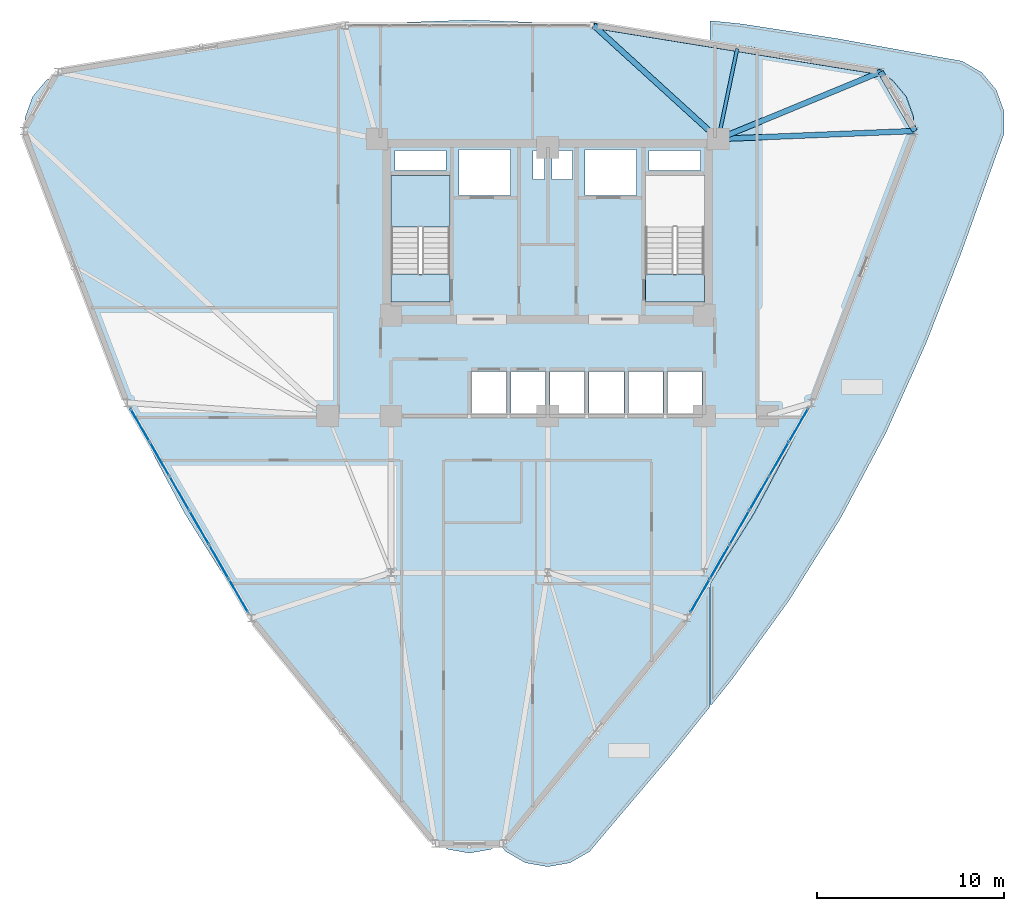
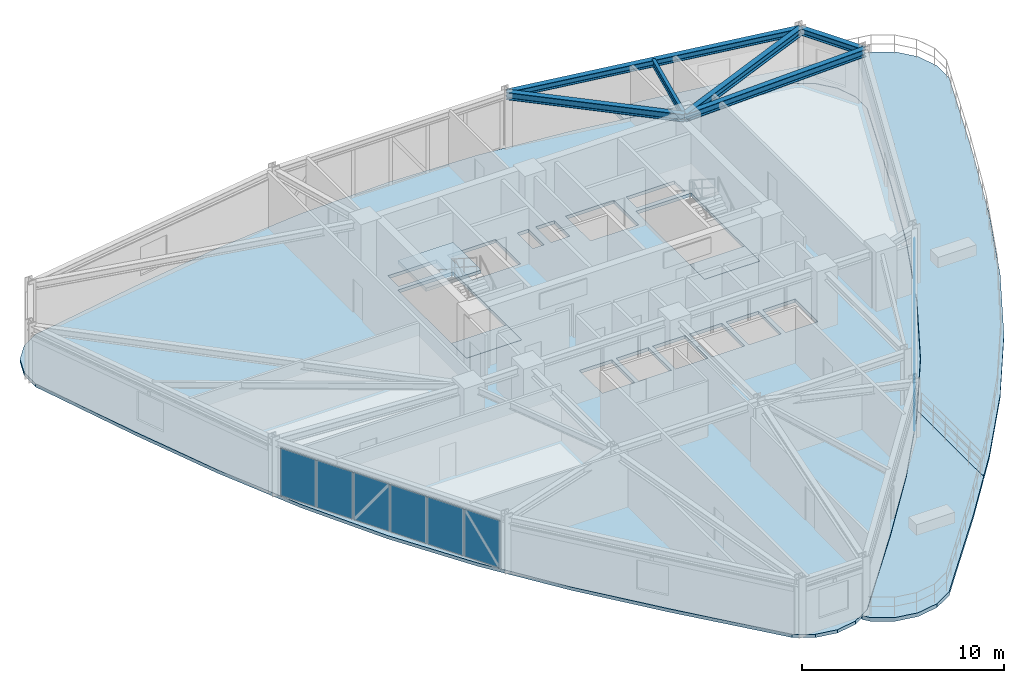
# One storey, part 11 of 18: 12 plates, 6 beams, 6 slabs, 3 elements without a shape of their own.
"""IFC4 building model written with IfcOpenShell, lengths in metres."""

from ifc_helpers import new_model, si_unit, derived_unit, direction, frame, origin, origin_2d, place, context, subcontext, project, spatial, polyline, rectangle, i_section, outline, extrude, source, transform, mapped, material, layer, layer_set, material_profile, profile_set, type_object, element, aggregate, save


model = new_model("IFC4")

# Units and contexts
model_context = context("Model", 3, precision=1e-05, world=origin(), true_north=direction((0.0, 1.0)))
body_context = subcontext(model_context, "Body", "Model", "MODEL_VIEW")
ifc_project = project(units=[si_unit("LENGTHUNIT", "METRE"), si_unit("AREAUNIT", "SQUARE_METRE"), si_unit("VOLUMEUNIT", "CUBIC_METRE"), si_unit("PLANEANGLEUNIT", "RADIAN"), si_unit("MASSUNIT", "GRAM", prefix="KILO"), derived_unit("THERMALTRANSMITTANCEUNIT", [(si_unit("POWERUNIT", "WATT"), 1), (si_unit("LENGTHUNIT", "METRE"), -2), (si_unit("THERMODYNAMICTEMPERATUREUNIT", "KELVIN"), -1)])], contexts=[model_context])

# Site, building, storey
site_placement = place(None, origin())
site = spatial("IfcSite", under=ifc_project, at=site_placement, CompositionType="ELEMENT")
building_placement = place(site_placement, origin())
building = spatial("IfcBuilding", under=site, at=building_placement, Name="Korsvarv Bourse and Concert Hall", CompositionType="ELEMENT")
storey_placement = place(building_placement, frame((0.0, 0.0, 136.199951171875)))
storey = spatial("IfcBuildingStorey", under=building, at=storey_placement, Name="L34", CompositionType="ELEMENT", Elevation=136.199951171875)

# Beams
ifc_material_1 = material(Name="Steel S355", Category="steel")
ifc_material_profile_1 = material_profile(ifc_material_1, i_section(OverallWidth=0.300048828125, OverallDepth=0.39990234375, WebThickness=0.013427734375, FlangeThickness=0.02392578125, FilletRadius=0.02099609375, at=origin_2d()), Name="HEB 400")
ifc_profile_set_1 = profile_set([ifc_material_profile_1], Name="Steel S355")
beam_type_1 = type_object("IfcBeamType", Name="BM-HEB400", PredefinedType="SPANDREL", material=ifc_profile_set_1)
shared_shape_1 = source(origin(), body_context, "Body", "SweptSolid", [
    extrude(i_section(OverallWidth=0.300048828125, OverallDepth=0.39990234375, WebThickness=0.013427734375, FlangeThickness=0.02392578125, FilletRadius=0.02099609375, at=origin_2d()), origin(), (0.0, 0.0, 1.0), 3.659423828125),
])
beam_1_placement = place(storey_placement, frame((55.686279296875, 47.677978515625, 3.199951171875), z_axis=(-0.500049712553, 0.865996700326, 0.0), x_axis=(-0.865996700326, -0.500049712553, 0.0)))
element("IfcBeam", 1, at=beam_1_placement, inside=storey, type_object=beam_type_1, Name="L34 beam B-09", PredefinedType="SPANDREL", context=body_context, shape_type="MappedRepresentation", body=[
    mapped(shared_shape_1, transform((0.0, 0.0, 0.0), scale=1.0)),
])
shared_shape_2 = source(origin(), body_context, "Body", "SweptSolid", [
    extrude(i_section(OverallWidth=0.300048828125, OverallDepth=0.39990234375, WebThickness=0.013427734375, FlangeThickness=0.02392578125, FilletRadius=0.02099609375, at=origin_2d()), origin(), (0.0, 0.0, 1.0), 15.593017578125),
])
beam_2_placement = place(storey_placement, frame((53.8564453125, 50.846923828125, 3.199951171875), z_axis=(-0.987167652814, 0.159687273249, 0.0), x_axis=(-0.159687273249, -0.987167652814, 0.0)))
element("IfcBeam", 2, at=beam_2_placement, inside=storey, type_object=beam_type_1, Name="L34 beam B-09", PredefinedType="SPANDREL", context=body_context, shape_type="MappedRepresentation", body=[
    mapped(shared_shape_2, transform((0.0, 0.0, 0.0), scale=1.0)),
])
ifc_material_profile_2 = material_profile(ifc_material_1, i_section(OverallWidth=0.300048828125, OverallDepth=0.449951171875, WebThickness=0.013916015625, FlangeThickness=0.02587890625, FilletRadius=0.02099609375, at=origin_2d()), Name="HEB 450")
ifc_profile_set_2 = profile_set([ifc_material_profile_2], Name="Steel S355")
beam_type_2 = type_object("IfcBeamType", Name="BM-HEB450", PredefinedType="SPANDREL", material=ifc_profile_set_2)
shared_shape_3 = source(origin(), body_context, "Body", "SweptSolid", [
    extrude(i_section(OverallWidth=0.300048828125, OverallDepth=0.449951171875, WebThickness=0.013916015625, FlangeThickness=0.02587890625, FilletRadius=0.02099609375, at=origin_2d()), origin(), (0.0, 0.0, 1.0), 10.545166015625),
])
beam_3_placement = place(storey_placement, frame((55.686279296875, 47.677978515625, 3.175048828125), z_axis=(-0.999176062374, -0.040585667153, 0.0), x_axis=(0.040585667153, -0.999176062374, 0.0)))
element("IfcBeam", 3, at=beam_3_placement, inside=storey, type_object=beam_type_2, Name="L34 beam B-08", PredefinedType="SPANDREL", context=body_context, shape_type="MappedRepresentation", body=[
    mapped(shared_shape_3, transform((0.0, 0.0, 0.0), scale=1.0)),
])
shared_shape_4 = source(origin(), body_context, "Body", "SweptSolid", [
    extrude(i_section(OverallWidth=0.300048828125, OverallDepth=0.449951171875, WebThickness=0.013916015625, FlangeThickness=0.02587890625, FilletRadius=0.02099609375, at=origin_2d()), origin(), (0.0, 0.0, 1.0), 9.420166015625),
])
beam_4_placement = place(storey_placement, frame((53.8564453125, 50.846923828125, 3.175048828125), z_axis=(-0.92423359285, -0.381827534167, 0.0), x_axis=(0.381827534167, -0.92423359285, 0.0)))
element("IfcBeam", 4, at=beam_4_placement, inside=storey, type_object=beam_type_2, Name="L34 beam B-08", PredefinedType="SPANDREL", context=body_context, shape_type="MappedRepresentation", body=[
    mapped(shared_shape_4, transform((0.0, 0.0, 0.0), scale=1.0)),
])
shared_shape_5 = source(origin(), body_context, "Body", "SweptSolid", [
    extrude(i_section(OverallWidth=0.300048828125, OverallDepth=0.449951171875, WebThickness=0.013916015625, FlangeThickness=0.02587890625, FilletRadius=0.02099609375, at=origin_2d()), origin(), (0.0, 0.0, 1.0), 9.0419921875),
])
beam_5_placement = place(storey_placement, frame((38.463623046875, 53.3369140625, 3.175048828125), z_axis=(0.739473183203, -0.673186015395, 0.0), x_axis=(0.673186015395, 0.739473183203, 0.0)))
element("IfcBeam", 5, at=beam_5_placement, inside=storey, type_object=beam_type_2, Name="L34 beam B-08", PredefinedType="SPANDREL", context=body_context, shape_type="MappedRepresentation", body=[
    mapped(shared_shape_5, transform((0.0, 0.0, 0.0), scale=1.0)),
])
ifc_material_profile_3 = material_profile(ifc_material_1, i_section(OverallWidth=0.179931640625, OverallDepth=0.39990234375, WebThickness=0.008544921875, FlangeThickness=0.013427734375, FilletRadius=0.02099609375, at=origin_2d()), Name="IPE 400")
ifc_profile_set_3 = profile_set([ifc_material_profile_3], Name="Steel S355")
beam_type_3 = type_object("IfcBeamType", Name="BM-IPE400", PredefinedType="JOIST", material=ifc_profile_set_3)
shared_shape_6 = source(origin(), body_context, "Body", "SweptSolid", [
    extrude(i_section(OverallWidth=0.179931640625, OverallDepth=0.39990234375, WebThickness=0.008544921875, FlangeThickness=0.013427734375, FilletRadius=0.02099609375, at=origin_2d()), origin(), (0.0, 0.0, 1.0), 4.9462890625),
])
beam_6_placement = place(storey_placement, frame((46.16015625, 52.092041015625, 3.199951171875), z_axis=(-0.204243988144, -0.978920013743, 0.0), x_axis=(0.978920013743, -0.204243988144, 0.0)))
element("IfcBeam", 6, at=beam_6_placement, inside=storey, type_object=beam_type_3, Name="L34 beam J-05", PredefinedType="JOIST", context=body_context, shape_type="MappedRepresentation", body=[
    mapped(shared_shape_6, transform((0.0, 0.0, 0.0), scale=1.0)),
])

# Slabs
ifc_material_2 = material(Name="Precast concrete C45/55", Category="concrete")
ifc_layer_1 = layer(ifc_material_2, 0.199951171875)
ifc_layer_set_1 = layer_set([ifc_layer_1], Name="Precast concrete C45/55")
slab_type_1 = type_object("IfcSlabType", Name="SLB-FLND-T", PredefinedType="LANDING", material=ifc_layer_set_1)
slab_1_placement = place(storey_placement, frame((0.0, 0.0, -0.199951171875)))
element("IfcSlab", 7, at=slab_1_placement, inside=storey, type_object=slab_type_1, Name="L34 Stair ST-T1 Floor Landing Slab", PredefinedType="LANDING", context=body_context, shape_type="SweptSolid", body=[
    extrude(outline(polyline([(30.760009765625, 38.5), (30.760009765625, 40.0), (27.60009765625, 40.0), (27.60009765625, 38.5), (30.760009765625, 38.5)])), origin(), (0.0, 0.0, 1.0), 0.199951171875),
])
slab_2_placement = place(storey_placement, frame((0.0, 0.0, -0.199951171875)))
element("IfcSlab", 8, at=slab_2_placement, inside=storey, type_object=slab_type_1, Name="L34 Stair ST-T2 Floor Landing Slab", PredefinedType="LANDING", context=body_context, shape_type="SweptSolid", body=[
    extrude(outline(polyline([(44.39990234375, 38.5), (44.39990234375, 40.0), (41.239990234375, 40.0), (41.239990234375, 38.5), (44.39990234375, 38.5)])), origin(), (0.0, 0.0, 1.0), 0.199951171875),
])
ifc_material_3 = material(Name="Concrete C45/55", Category="concrete")
ifc_layer_2 = layer(ifc_material_3, 0.22998046875)
ifc_layer_set_2 = layer_set([ifc_layer_2], Name="Concrete C45/55")
slab_type_2 = type_object("IfcSlabType", Name="SLB-SKY", PredefinedType="FLOOR", material=ifc_layer_set_2)
slab_3_placement = place(storey_placement, frame((0.0, 0.0, -0.22998046875)))
element("IfcSlab", 9, at=slab_3_placement, inside=storey, type_object=slab_type_2, Name="L34 Crescent Sky Garden Terrace 1", PredefinedType="FLOOR", context=body_context, shape_type="SweptSolid", body=[
    extrude(outline(polyline([(47.07568359375, 27.1806640625), (47.075927734375, 27.181396484375), (49.45263671875, 31.6630859375), (49.453125, 31.663818359375), (49.453369140625, 31.664794921875), (51.5419921875, 36.324462890625), (51.5419921875, 36.324951171875), (51.54248046875, 36.32568359375), (53.4130859375, 41.131591796875), (53.413330078125, 41.1318359375), (53.41357421875, 41.132080078125), (55.170166015625, 46.029541015625), (55.170166015625, 46.029541015625), (55.171630859375, 46.033203125), (55.171630859375, 46.033447265625), (55.620849609375, 47.267333984375), (55.62109375, 47.267822265625), (55.621337890625, 47.269287109375), (55.62158203125, 47.27001953125), (55.62158203125, 47.271484375), (55.62158203125, 47.27197265625), (55.62158203125, 48.429443359375), (55.62158203125, 48.429931640625), (55.62158203125, 48.431396484375), (55.621337890625, 48.43212890625), (55.62109375, 48.43359375), (55.620849609375, 48.43408203125), (55.224853515625, 49.521484375), (55.224609375, 49.522216796875), (55.22412109375, 49.5234375), (55.2236328125, 49.524169921875), (55.222900390625, 49.525390625), (55.222412109375, 49.525634765625), (54.478515625, 50.412353515625), (54.478271484375, 50.41259765625), (54.477294921875, 50.413818359375), (54.4765625, 50.414306640625), (54.475341796875, 50.4150390625), (54.474853515625, 50.415283203125), (53.47265625, 50.993896484375), (53.47216796875, 50.994384765625), (53.470947265625, 50.994873046875), (53.47021484375, 50.9951171875), (53.46875, 50.99560546875), (53.46826171875, 50.99560546875), (52.175048828125, 51.2236328125), (52.1748046875, 51.2236328125), (52.1708984375, 51.224365234375), (52.1708984375, 51.224365234375), (47.05126953125, 52.15185546875), (47.051025390625, 52.15185546875), (47.050537109375, 52.15185546875), (44.7509765625, 52.5048828125), (44.744873046875, 52.506103515625), (44.739013671875, 52.508056640625), (44.733642578125, 52.510498046875), (44.728271484375, 52.513427734375), (44.723388671875, 52.516845703125), (44.71875, 52.520751953125), (44.714599609375, 52.525146484375), (44.710693359375, 52.530029296875), (44.70751953125, 52.53515625), (44.704833984375, 52.54052734375), (44.702880859375, 52.54638671875), (44.701171875, 52.55224609375), (44.7001953125, 52.55810546875), (44.699951171875, 52.564208984375), (44.699951171875, 53.52685546875), (44.7001953125, 53.53271484375), (44.701171875, 53.53857421875), (44.70263671875, 53.544189453125), (44.70458984375, 53.5498046875), (44.70703125, 53.55517578125), (44.710205078125, 53.560302734375), (44.713623046875, 53.56494140625), (44.7177734375, 53.5693359375), (44.721923828125, 53.5732421875), (44.726806640625, 53.57666015625), (44.73193359375, 53.579833984375), (44.7373046875, 53.582275390625), (44.742919921875, 53.584228515625), (44.74853515625, 53.585693359375), (44.75439453125, 53.58642578125), (44.76025390625, 53.5869140625), (44.76611328125, 53.58642578125), (46.39404296875, 53.419189453125), (46.39697265625, 53.418701171875), (51.61474609375, 52.615478515625), (51.616455078125, 52.615234375), (56.85791015625, 51.663818359375), (56.862060546875, 51.6630859375), (58.20263671875, 51.426513671875), (58.207763671875, 51.425537109375), (58.212890625, 51.423828125), (58.217529296875, 51.421875), (58.222412109375, 51.41943359375), (59.257568359375, 50.82177734375), (59.261962890625, 50.819091796875), (59.26611328125, 50.81591796875), (59.27001953125, 50.812255859375), (59.2734375, 50.808349609375), (60.041748046875, 49.892578125), (60.044921875, 49.888427734375), (60.0478515625, 49.884033203125), (60.05029296875, 49.87939453125), (60.05224609375, 49.87451171875), (60.461181640625, 48.751220703125), (60.462890625, 48.746337890625), (60.4638671875, 48.7412109375), (60.464599609375, 48.73583984375), (60.46484375, 48.730712890625), (60.46484375, 47.535400390625), (60.464599609375, 47.530029296875), (60.4638671875, 47.52490234375), (60.462890625, 47.519775390625), (60.461181640625, 47.514892578125), (59.99560546875, 46.23583984375), (59.994140625, 46.2314453125), (58.197509765625, 41.216552734375), (58.197021484375, 41.215087890625), (56.283447265625, 36.294921875), (56.2822265625, 36.2919921875), (54.145751953125, 31.52197265625), (54.14404296875, 31.518310546875), (51.7119140625, 26.93115234375), (51.709716796875, 26.927490234375), (48.953369140625, 22.527587890625), (48.950927734375, 22.5244140625), (45.888427734375, 18.2890625), (45.88671875, 18.28662109375), (44.806884765625, 16.94140625), (44.802978515625, 16.93701171875), (44.798583984375, 16.932861328125), (44.793701171875, 16.92919921875), (44.788818359375, 16.92626953125), (44.783447265625, 16.923583984375), (44.77783203125, 16.921630859375), (44.772216796875, 16.920166015625), (44.766357421875, 16.919189453125), (44.760498046875, 16.9189453125), (44.75439453125, 16.919189453125), (44.748779296875, 16.919921875), (44.742919921875, 16.92138671875), (44.7373046875, 16.92333984375), (44.73193359375, 16.92578125), (44.726806640625, 16.9287109375), (44.72216796875, 16.932373046875), (44.7177734375, 16.936279296875), (44.713623046875, 16.940673828125), (44.710205078125, 16.9453125), (44.70703125, 16.950439453125), (44.70458984375, 16.955810546875), (44.70263671875, 16.96142578125), (44.701171875, 16.967041015625), (44.7001953125, 16.972900390625), (44.699951171875, 16.97900390625), (44.699951171875, 23.37109375), (44.7001953125, 23.37646484375), (44.700927734375, 23.382080078125), (44.702392578125, 23.387451171875), (44.7041015625, 23.392822265625), (44.706298828125, 23.39794921875), (44.709228515625, 23.40283203125), (47.0751953125, 27.1796875), (47.07568359375, 27.1806640625)])), origin(), (0.0, 0.0, 1.0), 0.22998046875),
])
slab_4_placement = place(storey_placement, frame((0.0, 0.0, -0.22998046875)))
element("IfcSlab", 10, at=slab_4_placement, inside=storey, type_object=slab_type_2, Name="L34 Crescent Sky Garden Terrace 3", PredefinedType="FLOOR", context=body_context, shape_type="SweptSolid", body=[
    extrude(outline(polyline([(33.949462890625, 9.734130859375), (33.95068359375, 9.735107421875), (33.951171875, 9.735595703125), (33.9521484375, 9.736572265625), (33.95263671875, 9.737060546875), (34.796630859375, 10.742919921875), (34.796630859375, 10.742919921875), (34.79931640625, 10.74609375), (34.79931640625, 10.74609375), (38.162109375, 14.71630859375), (38.162353515625, 14.71630859375), (38.16259765625, 14.716796875), (41.38916015625, 18.73974609375), (41.389404296875, 18.740234375), (41.389892578125, 18.740966796875), (44.381103515625, 22.87939453125), (44.381591796875, 22.880126953125), (44.382080078125, 22.880859375), (44.589111328125, 23.211181640625), (44.592529296875, 23.216064453125), (44.596435546875, 23.220703125), (44.6005859375, 23.224853515625), (44.60546875, 23.228515625), (44.610595703125, 23.231689453125), (44.61572265625, 23.234375), (44.621337890625, 23.236328125), (44.627197265625, 23.238037109375), (44.633056640625, 23.239013671875), (44.638916015625, 23.239501953125), (44.64501953125, 23.2392578125), (44.65087890625, 23.23828125), (44.656494140625, 23.237060546875), (44.662109375, 23.235107421875), (44.66748046875, 23.232666015625), (44.6728515625, 23.2294921875), (44.677490234375, 23.226318359375), (44.681884765625, 23.22216796875), (44.68603515625, 23.2177734375), (44.689697265625, 23.213134765625), (44.69287109375, 23.2080078125), (44.6953125, 23.20263671875), (44.697509765625, 23.197021484375), (44.69873046875, 23.191162109375), (44.69970703125, 23.185302734375), (44.699951171875, 23.179443359375), (44.699951171875, 16.829345703125), (44.69970703125, 16.823486328125), (44.698974609375, 16.81787109375), (44.697509765625, 16.812255859375), (44.695556640625, 16.806640625), (44.693115234375, 16.801513671875), (44.690185546875, 16.79638671875), (44.686767578125, 16.791748046875), (42.58203125, 14.169189453125), (42.5810546875, 14.168212890625), (39.136474609375, 10.10498046875), (39.13623046875, 10.1044921875), (39.1337890625, 10.1015625), (39.13330078125, 10.101318359375), (38.258544921875, 9.05859375), (38.2548828125, 9.0546875), (38.251220703125, 9.05126953125), (38.2470703125, 9.048095703125), (38.242431640625, 9.045166015625), (37.207275390625, 8.447509765625), (37.20263671875, 8.445068359375), (37.19775390625, 8.443115234375), (37.19287109375, 8.44140625), (37.187744140625, 8.4404296875), (36.010498046875, 8.23291015625), (36.005126953125, 8.232177734375), (36.0, 8.23193359375), (35.994873046875, 8.232177734375), (35.989501953125, 8.23291015625), (34.812255859375, 8.4404296875), (34.80712890625, 8.44140625), (34.80224609375, 8.443115234375), (34.79736328125, 8.445068359375), (34.792724609375, 8.447509765625), (33.757568359375, 9.045166015625), (33.7529296875, 9.048095703125), (33.748779296875, 9.05126953125), (33.7451171875, 9.0546875), (33.741455078125, 9.05859375), (33.473388671875, 9.378173828125), (33.469970703125, 9.3828125), (33.466796875, 9.3876953125), (33.46435546875, 9.392822265625), (33.46240234375, 9.398193359375), (33.460693359375, 9.40380859375), (33.459716796875, 9.40966796875), (33.45947265625, 9.41552734375), (33.459716796875, 9.42138671875), (33.460205078125, 9.427001953125), (33.461669921875, 9.4326171875), (33.46337890625, 9.438232421875), (33.4658203125, 9.443603515625), (33.468505859375, 9.448486328125), (33.471923828125, 9.453369140625), (33.475830078125, 9.457763671875), (33.47998046875, 9.4619140625), (33.484619140625, 9.465576171875), (33.489501953125, 9.468505859375), (33.948974609375, 9.73388671875), (33.949462890625, 9.734130859375)])), origin(), (0.0, 0.0, 1.0), 0.22998046875),
])

# Stair, slab
stair_type = type_object("IfcStairType", Name="STR-TYPE-04", PredefinedType="HALF_TURN_STAIR", material=ifc_material_2)
stair_placement = place(storey_placement, origin())
stair = element("IfcStair", 11, at=stair_placement, inside=storey, type_object=stair_type, Name="L34 Tower West Exit Stair ST-T1", PredefinedType="HALF_TURN_STAIR")
ifc_layer_3 = layer(ifc_material_2, 0.199951171875)
ifc_layer_set_3 = layer_set([ifc_layer_3], Name="Precast concrete C45/55")
slab_type_3 = type_object("IfcSlabType", Name="SLB-ST-LND", PredefinedType="LANDING", material=ifc_layer_set_3)
slab_5_placement = place(storey_placement, frame((0.0, 0.0, 1.60009765625)))
slab_5 = element("IfcSlab", 12, at=slab_5_placement, type_object=slab_type_3, Name="ST-T1 landing 1", PredefinedType="LANDING", context=body_context, shape_type="SweptSolid", body=[
    extrude(outline(polyline([(30.760009765625, 42.52001953125), (30.760009765625, 45.300048828125), (27.60009765625, 45.300048828125), (27.60009765625, 42.52001953125), (30.760009765625, 42.52001953125)])), origin(), (0.0, 0.0, 1.0), 0.199951171875),
])
aggregate(stair, [slab_5])

# Slab
ifc_layer_4 = layer(ifc_material_3, 0.199951171875)
ifc_layer_set_4 = layer_set([ifc_layer_4], Name="Concrete C45/55")
slab_type_4 = type_object("IfcSlabType", Name="SLB-TW2", PredefinedType="FLOOR", material=ifc_layer_set_4)
slab_6_placement = place(storey_placement, frame((0.0, 0.0, -0.199951171875)))
element("IfcSlab", 13, at=slab_6_placement, inside=storey, type_object=slab_type_4, Name="L34 tower structural floor slab", PredefinedType="FLOOR", context=body_context, shape_type="SweptSolid", body=[
    extrude(outline(polyline([(55.160888671875, 46.032958984375), (53.404052734375, 41.13525390625), (51.532958984375, 36.328857421875), (49.444091796875, 31.668212890625), (47.06689453125, 27.185546875), (44.373291015625, 22.8857421875), (41.381591796875, 18.746337890625), (38.15478515625, 14.722900390625), (34.79150390625, 10.75244140625), (34.7890625, 10.749267578125), (33.944580078125, 9.742919921875), (32.941162109375, 9.16357421875), (31.800048828125, 8.96240234375), (30.658935546875, 9.16357421875), (29.655517578125, 9.742919921875), (28.81103515625, 10.749267578125), (28.808349609375, 10.75244140625), (25.4453125, 14.722900390625), (22.218505859375, 18.746337890625), (19.2265625, 22.8857421875), (16.533203125, 27.185546875), (14.156005859375, 31.668212890625), (12.067138671875, 36.328857421875), (10.196044921875, 41.13525390625), (8.439208984375, 46.032958984375), (8.437744140625, 46.036865234375), (7.98828125, 47.271484375), (7.98828125, 48.429931640625), (8.384765625, 49.518798828125), (9.12939453125, 50.406494140625), (10.1328125, 50.985595703125), (11.4267578125, 51.2138671875), (11.430908203125, 51.214599609375), (16.55078125, 52.14208984375), (21.648681640625, 52.9248046875), (26.729248046875, 53.446044921875), (31.800048828125, 53.628662109375), (36.87060546875, 53.446044921875), (41.951171875, 52.9248046875), (47.04931640625, 52.14208984375), (52.169189453125, 51.214599609375), (52.173095703125, 51.2138671875), (53.467041015625, 50.985595703125), (54.470458984375, 50.406494140625), (55.21533203125, 49.518798828125), (55.611572265625, 48.429931640625), (55.611572265625, 47.271484375), (55.162109375, 46.036865234375), (55.160888671875, 46.032958984375)]), holes=[polyline([(30.760009765625, 38.5), (30.760009765625, 45.300048828125), (27.60009765625, 45.300048828125), (27.60009765625, 38.5), (30.760009765625, 38.5)]), polyline([(44.39990234375, 38.5), (44.39990234375, 45.300048828125), (41.239990234375, 45.300048828125), (41.239990234375, 38.5), (44.39990234375, 38.5)]), polyline([(31.239990234375, 44.219970703125), (34.0, 44.219970703125), (34.0, 46.679931640625), (31.239990234375, 46.679931640625), (31.239990234375, 44.219970703125)]), polyline([(38.0, 44.219970703125), (40.760009765625, 44.219970703125), (40.760009765625, 46.679931640625), (38.0, 46.679931640625), (38.0, 44.219970703125)]), polyline([(31.919921875, 32.52001953125), (33.780029296875, 32.52001953125), (33.780029296875, 34.780029296875), (31.919921875, 34.780029296875), (31.919921875, 32.52001953125)]), polyline([(34.02001953125, 32.52001953125), (35.8798828125, 32.52001953125), (35.8798828125, 34.780029296875), (34.02001953125, 34.780029296875), (34.02001953125, 32.52001953125)]), polyline([(36.1201171875, 32.52001953125), (37.97998046875, 32.52001953125), (37.97998046875, 34.780029296875), (36.1201171875, 34.780029296875), (36.1201171875, 32.52001953125)]), polyline([(38.219970703125, 32.52001953125), (40.080078125, 32.52001953125), (40.080078125, 34.780029296875), (38.219970703125, 34.780029296875), (38.219970703125, 32.52001953125)]), polyline([(40.320068359375, 32.52001953125), (42.179931640625, 32.52001953125), (42.179931640625, 34.780029296875), (40.320068359375, 34.780029296875), (40.320068359375, 32.52001953125)]), polyline([(42.419921875, 32.52001953125), (44.280029296875, 32.52001953125), (44.280029296875, 34.780029296875), (42.419921875, 34.780029296875), (42.419921875, 32.52001953125)]), polyline([(27.800048828125, 45.56005859375), (30.56005859375, 45.56005859375), (30.56005859375, 46.6201171875), (27.800048828125, 46.6201171875), (27.800048828125, 45.56005859375)]), polyline([(41.43994140625, 45.56005859375), (44.199951171875, 45.56005859375), (44.199951171875, 46.6201171875), (41.43994140625, 46.6201171875), (41.43994140625, 45.56005859375)]), polyline([(35.199951171875, 45.080078125), (35.840087890625, 45.080078125), (35.840087890625, 46.6201171875), (35.199951171875, 46.6201171875), (35.199951171875, 45.080078125)]), polyline([(36.239990234375, 45.080078125), (37.320068359375, 45.080078125), (37.320068359375, 46.6201171875), (36.239990234375, 46.6201171875), (36.239990234375, 45.080078125)])]), origin(), (0.0, 0.0, 1.0), 0.199951171875),
])

# Curtain wall, plate
ifc_material_4 = material(Name="Anodised aluminium and triple low-E glazing", Category="glass")
ifc_layer_5 = layer(ifc_material_4, 0.2099609375)
ifc_layer_set_5 = layer_set([ifc_layer_5], Name="Anodised aluminium and triple low-E glazing")
curtain_wall_type = type_object("IfcCurtainWallType", Name="CW-SYS-2", PredefinedType="NOTDEFINED", material=ifc_layer_set_5)
curtain_wall_1_placement = place(storey_placement, origin())
curtain_wall_1 = element("IfcCurtainWall", 14, at=curtain_wall_1_placement, inside=storey, type_object=curtain_wall_type, Name="L34 CW2 curtain wall CW-L34-F07", PredefinedType="NOTDEFINED")
ifc_material_5 = material(Name="Tempered triple insulated low-E architectural glass", Category="glass")
ifc_layer_6 = layer(ifc_material_5, 0.0380859375)
ifc_layer_set_6 = layer_set([ifc_layer_6], Name="Tempered triple insulated low-E architectural glass")
plate_type_1 = type_object("IfcPlateType", Name="CWP-VIS2", PredefinedType="CURTAIN_PANEL", material=ifc_layer_set_6)
shared_shape_7 = source(origin(), body_context, "Body", "SweptSolid", [
    extrude(rectangle(XDim=2.01318359375, YDim=0.0380859375, at=origin_2d()), origin(), (0.0, 0.0, 1.0), 2.8701171875),
])
plate_1_placement = place(storey_placement, frame((14.146728515625, 31.902587890625, 0.06494140625), z_axis=(0.0, 0.0, 1.0), x_axis=(0.500000329688, -0.866025213439, 0.0)))
plate_1 = element("IfcPlate", 15, at=plate_1_placement, type_object=plate_type_1, Name="CW2 faceted panel 1.1", PredefinedType="CURTAIN_PANEL", context=body_context, shape_type="MappedRepresentation", body=[
    mapped(shared_shape_7, transform((0.0, 0.0, 0.0), scale=1.0)),
])

curtain_wall_2_placement = place(storey_placement, origin())
curtain_wall_2 = element("IfcCurtainWall", 16, at=curtain_wall_2_placement, inside=storey, type_object=curtain_wall_type, Name="L34 CW2 curtain wall CW-L34-F11", PredefinedType="NOTDEFINED")
plate_2_placement = place(storey_placement, frame((44.175048828125, 22.760498046875, 0.06494140625), z_axis=(0.0, 0.0, 1.0), x_axis=(0.500000329688, 0.866025213439, 0.0)))
plate_2 = element("IfcPlate", 17, at=plate_2_placement, type_object=plate_type_1, Name="CW2 faceted panel 1.1", PredefinedType="CURTAIN_PANEL", context=body_context, shape_type="MappedRepresentation", body=[
    mapped(shared_shape_7, transform((0.0, 0.0, 0.0), scale=1.0)),
])

# Plate
shared_shape_8 = source(origin(), body_context, "Body", "SweptSolid", [
    extrude(rectangle(XDim=2.04833984375, YDim=0.0380859375, at=origin_2d()), origin(), (0.0, 0.0, 1.0), 2.8701171875),
])
plate_3_placement = place(storey_placement, frame((15.197021484375, 30.083251953125, 0.06494140625), z_axis=(0.0, 0.0, 1.0), x_axis=(0.500000329688, -0.866025213439, 0.0)))
plate_3 = element("IfcPlate", 18, at=plate_3_placement, type_object=plate_type_1, Name="CW2 faceted panel 2.1", PredefinedType="CURTAIN_PANEL", context=body_context, shape_type="MappedRepresentation", body=[
    mapped(shared_shape_8, transform((0.0, 0.0, 0.0), scale=1.0)),
])

plate_4_placement = place(storey_placement, frame((17.3154296875, 26.414306640625, 0.06494140625), z_axis=(0.0, 0.0, 1.0), x_axis=(0.500000329688, -0.866025213439, 0.0)))
plate_4 = element("IfcPlate", 19, at=plate_4_placement, type_object=plate_type_1, Name="CW2 faceted panel 4.1", PredefinedType="CURTAIN_PANEL", context=body_context, shape_type="MappedRepresentation", body=[
    mapped(shared_shape_8, transform((0.0, 0.0, 0.0), scale=1.0)),
])

plate_5_placement = place(storey_placement, frame((18.37451171875, 24.579833984375, 0.06494140625), z_axis=(0.0, 0.0, 1.0), x_axis=(0.500000329688, -0.866025213439, 0.0)))
plate_5 = element("IfcPlate", 20, at=plate_5_placement, type_object=plate_type_1, Name="CW2 faceted panel 5.1", PredefinedType="CURTAIN_PANEL", context=body_context, shape_type="MappedRepresentation", body=[
    mapped(shared_shape_8, transform((0.0, 0.0, 0.0), scale=1.0)),
])

plate_6_placement = place(storey_placement, frame((45.2255859375, 24.579833984375, 0.06494140625), z_axis=(0.0, 0.0, 1.0), x_axis=(0.500000329688, 0.866025213439, 0.0)))
plate_6 = element("IfcPlate", 21, at=plate_6_placement, type_object=plate_type_1, Name="CW2 faceted panel 2.1", PredefinedType="CURTAIN_PANEL", context=body_context, shape_type="MappedRepresentation", body=[
    mapped(shared_shape_8, transform((0.0, 0.0, 0.0), scale=1.0)),
])

plate_7_placement = place(storey_placement, frame((47.34375, 28.248779296875, 0.06494140625), z_axis=(0.0, 0.0, 1.0), x_axis=(0.500000329688, 0.866025213439, 0.0)))
plate_7 = element("IfcPlate", 22, at=plate_7_placement, type_object=plate_type_1, Name="CW2 faceted panel 4.1", PredefinedType="CURTAIN_PANEL", context=body_context, shape_type="MappedRepresentation", body=[
    mapped(shared_shape_8, transform((0.0, 0.0, 0.0), scale=1.0)),
])

plate_8_placement = place(storey_placement, frame((48.403076171875, 30.083251953125, 0.06494140625), z_axis=(0.0, 0.0, 1.0), x_axis=(0.500000329688, 0.866025213439, 0.0)))
plate_8 = element("IfcPlate", 23, at=plate_8_placement, type_object=plate_type_1, Name="CW2 faceted panel 5.1", PredefinedType="CURTAIN_PANEL", context=body_context, shape_type="MappedRepresentation", body=[
    mapped(shared_shape_8, transform((0.0, 0.0, 0.0), scale=1.0)),
])

ifc_material_6 = material(Name="Insulated spandrel glass", Category="glass")
ifc_layer_7 = layer(ifc_material_6, 0.031982421875)
ifc_layer_set_7 = layer_set([ifc_layer_7], Name="Insulated spandrel glass")
plate_type_2 = type_object("IfcPlateType", Name="CWP-SPD1", PredefinedType="CURTAIN_PANEL", material=ifc_layer_set_7)
shared_shape_9 = source(origin(), body_context, "Body", "SweptSolid", [
    extrude(rectangle(XDim=2.04833984375, YDim=0.031982421875, at=origin_2d()), origin(), (0.0, 0.0, 1.0), 2.8701171875),
])
plate_9_placement = place(storey_placement, frame((16.256103515625, 28.248779296875, 0.06494140625), z_axis=(0.0, 0.0, 1.0), x_axis=(0.500000329688, -0.866025213439, 0.0)))
plate_9 = element("IfcPlate", 24, at=plate_9_placement, type_object=plate_type_2, Name="CW2 spandrel shadow-box panel 3.1", PredefinedType="CURTAIN_PANEL", context=body_context, shape_type="MappedRepresentation", body=[
    mapped(shared_shape_9, transform((0.0, 0.0, 0.0), scale=1.0)),
])

plate_10_placement = place(storey_placement, frame((46.28466796875, 26.414306640625, 0.06494140625), z_axis=(0.0, 0.0, 1.0), x_axis=(0.500000329688, 0.866025213439, 0.0)))
plate_10 = element("IfcPlate", 25, at=plate_10_placement, type_object=plate_type_2, Name="CW2 spandrel shadow-box panel 3.1", PredefinedType="CURTAIN_PANEL", context=body_context, shape_type="MappedRepresentation", body=[
    mapped(shared_shape_9, transform((0.0, 0.0, 0.0), scale=1.0)),
])

shared_shape_10 = source(origin(), body_context, "Body", "SweptSolid", [
    extrude(rectangle(XDim=2.01318359375, YDim=0.031982421875, at=origin_2d()), origin(), (0.0, 0.0, 1.0), 2.8701171875),
])
plate_11_placement = place(storey_placement, frame((19.4248046875, 22.760498046875, 0.06494140625), z_axis=(0.0, 0.0, 1.0), x_axis=(0.500000329688, -0.866025213439, 0.0)))
plate_11 = element("IfcPlate", 26, at=plate_11_placement, type_object=plate_type_2, Name="CW2 spandrel shadow-box panel 6.1", PredefinedType="CURTAIN_PANEL", context=body_context, shape_type="MappedRepresentation", body=[
    mapped(shared_shape_10, transform((0.0, 0.0, 0.0), scale=1.0)),
])

aggregate(curtain_wall_1, [plate_1, plate_3, plate_9, plate_4, plate_5, plate_11])

plate_12_placement = place(storey_placement, frame((49.453369140625, 31.902587890625, 0.06494140625), z_axis=(0.0, 0.0, 1.0), x_axis=(0.500000329688, 0.866025213439, 0.0)))
plate_12 = element("IfcPlate", 27, at=plate_12_placement, type_object=plate_type_2, Name="CW2 spandrel shadow-box panel 6.1", PredefinedType="CURTAIN_PANEL", context=body_context, shape_type="MappedRepresentation", body=[
    mapped(shared_shape_10, transform((0.0, 0.0, 0.0), scale=1.0)),
])

aggregate(curtain_wall_2, [plate_2, plate_6, plate_10, plate_7, plate_8, plate_12])

save(model, "model.ifc")
